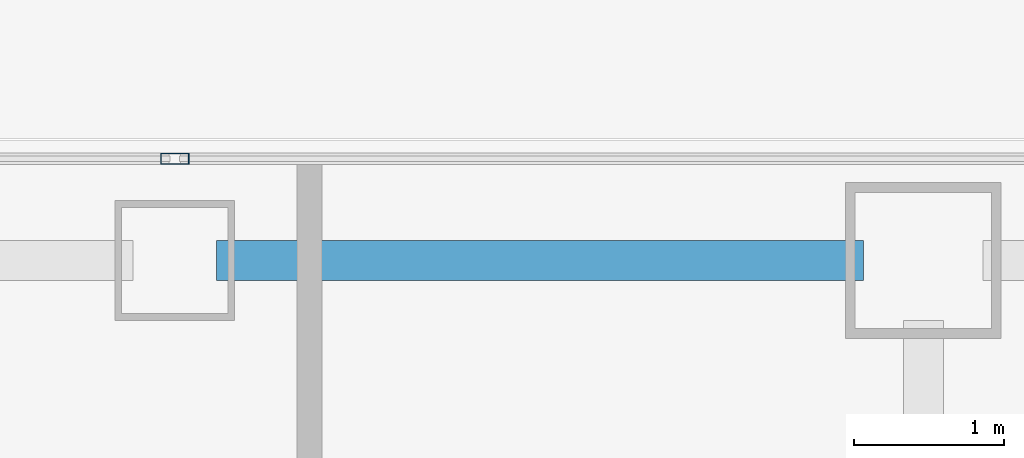
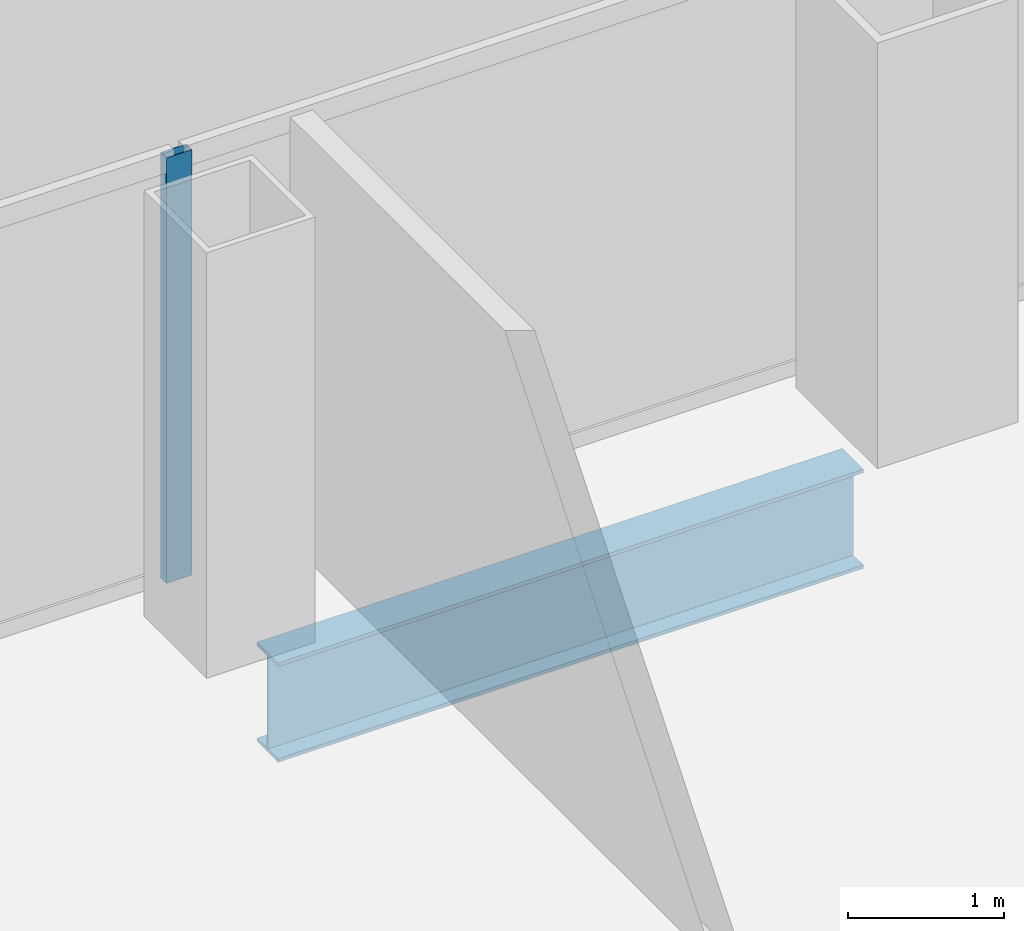
# One storey, part 13 of 21: 1 beam, 1 member, 1 element without a shape of its own.
"""IFC4 building model written with IfcOpenShell, lengths in metres."""

from ifc_helpers import new_model, si_unit, direction, frame, origin, origin_2d, place, context, subcontext, project, spatial, hollow_rectangle, i_section, extrude, source, transform, mapped, material, layer, layer_set, material_profile, profile_set, type_object, element, aggregate, save


model = new_model("IFC4")

# Units and contexts
model_context = context("Model", 3, precision=1e-05, world=origin(), true_north=direction((0.0, 1.0)))
body_context = subcontext(model_context, "Body", "Model", "MODEL_VIEW")
ifc_project = project(units=[si_unit("LENGTHUNIT", "METRE"), si_unit("AREAUNIT", "SQUARE_METRE"), si_unit("VOLUMEUNIT", "CUBIC_METRE"), si_unit("PLANEANGLEUNIT", "RADIAN"), si_unit("MASSUNIT", "GRAM", prefix="KILO")], contexts=[model_context])

# Site, building, storey
site_placement = place(None, origin())
site = spatial("IfcSite", under=ifc_project, at=site_placement, CompositionType="ELEMENT")
building_placement = place(site_placement, origin())
building = spatial("IfcBuilding", under=site, at=building_placement, Name="Kolveth Station Tower", CompositionType="ELEMENT")
storey_placement = place(building_placement, frame((0.0, 0.0, 33.300048828125)))
storey = spatial("IfcBuildingStorey", under=building, at=storey_placement, Name="L08", CompositionType="ELEMENT", Elevation=33.300048828125)

# Beam
ifc_material_1 = material(Name="Steel S355", Category="steel")
ifc_material_profile_1 = material_profile(ifc_material_1, i_section(OverallWidth=0.26904296875, OverallDepth=0.77490234375, WebThickness=0.01708984375, FlangeThickness=0.0283203125, at=origin_2d()), Name="W760x220")
ifc_profile_set_1 = profile_set([ifc_material_profile_1], Name="Steel S355")
beam_type = type_object("IfcBeamType", Name="Beam_SP1", PredefinedType="SPANDREL", material=ifc_profile_set_1)
shared_shape_1 = source(origin(), body_context, "Body", "SweptSolid", [
    extrude(i_section(OverallWidth=0.26904296875, OverallDepth=0.77490234375, WebThickness=0.01708984375, FlangeThickness=0.0283203125, at=origin_2d()), origin(), (0.0, 0.0, 1.0), 4.320068359375),
])
beam_placement = place(storey_placement, frame((23.780029296875, 39.699951171875, -0.66748046875), z_axis=(1.0, 0.0, 0.0), x_axis=(0.0, 1.0, 0.0)))
element("IfcBeam", 1, at=beam_placement, inside=storey, type_object=beam_type, Name="L08 Perimeter Spandrel BM-L08-PN-6", PredefinedType="SPANDREL", context=body_context, shape_type="MappedRepresentation", body=[
    mapped(shared_shape_1, transform((0.0, 0.0, 0.0), x_axis=(1.0, 0.0, 0.0), y_axis=(0.0, 1.0, 0.0), z_axis=(0.0, 0.0, 1.0), scale=1.0)),
])

# Curtain wall, member
ifc_material_2 = material(Name="Aluminium 6063-T6 and low-E dark glass", Category="aluminium")
ifc_layer = layer(ifc_material_2, 0.179931640625)
ifc_layer_set = layer_set([ifc_layer], Name="Aluminium 6063-T6 and low-E dark glass")
curtain_wall_type = type_object("IfcCurtainWallType", Name="CurtainWall_CW-Z1", PredefinedType="NOTDEFINED", material=ifc_layer_set)
curtain_wall_placement = place(storey_placement, origin())
curtain_wall = element("IfcCurtainWall", 2, at=curtain_wall_placement, inside=storey, type_object=curtain_wall_type, Name="L08 Inner Thermal Curtain Wall 6", PredefinedType="NOTDEFINED")
ifc_material_3 = material(Name="Black anodized aluminium 6063-T6", Category="aluminium")
ifc_material_profile_2 = material_profile(ifc_material_3, hollow_rectangle(XDim=0.074951171875, YDim=0.18994140625, WallThickness=0.0048828125, at=origin_2d()), Name="ALU-75x190x5")
ifc_profile_set_2 = profile_set([ifc_material_profile_2], Name="Black anodized aluminium 6063-T6")
member_type = type_object("IfcMemberType", Name="Mullion_ML1", PredefinedType="MULLION", material=ifc_profile_set_2)
shared_shape_2 = source(origin(), body_context, "Body", "SweptSolid", [
    extrude(hollow_rectangle(XDim=0.074951171875, YDim=0.18994140625, WallThickness=0.0048828125, at=origin_2d()), origin(), (0.0, 0.0, 1.0), 3.320068359375),
])
member_placement = place(storey_placement, frame((23.5, 40.3798828125, 0.0), z_axis=(0.0, 0.0, 1.0), x_axis=(0.0, -1.0, 0.0)))
member = element("IfcMember", 3, at=member_placement, type_object=member_type, Name="CW-Z1 mullion 2", PredefinedType="MULLION", context=body_context, shape_type="MappedRepresentation", body=[
    mapped(shared_shape_2, transform((0.0, 0.0, 0.0), x_axis=(1.0, 0.0, 0.0), y_axis=(0.0, 1.0, 0.0), z_axis=(0.0, 0.0, 1.0), scale=1.0)),
])
aggregate(curtain_wall, [member])

save(model, "model.ifc")
